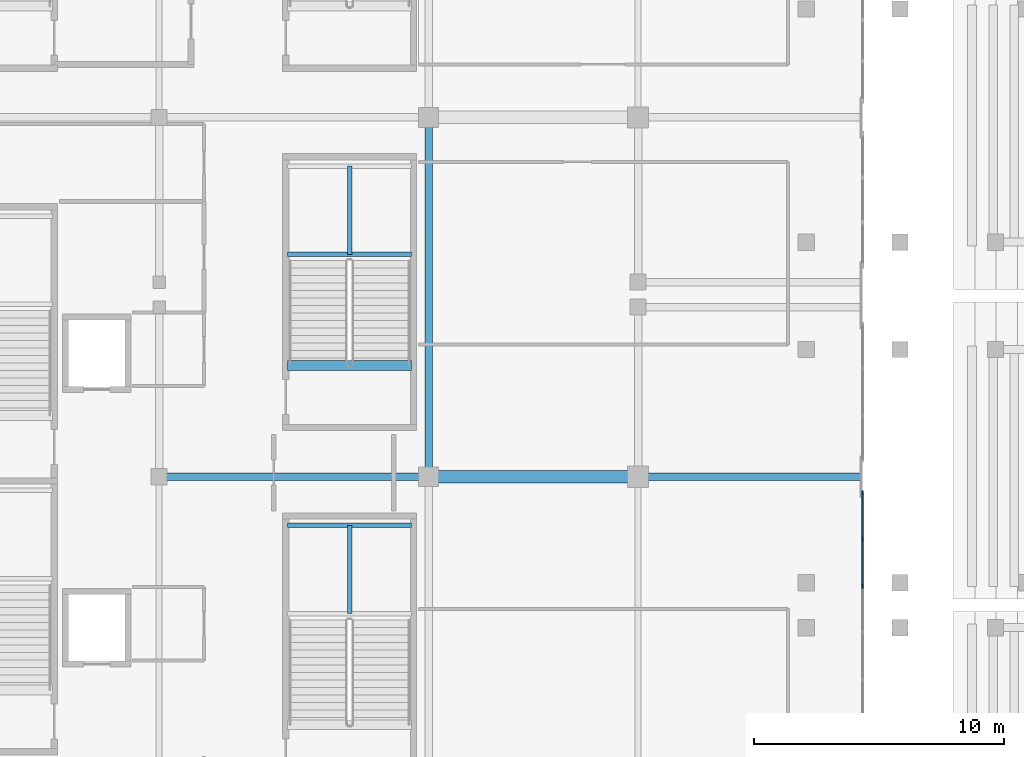
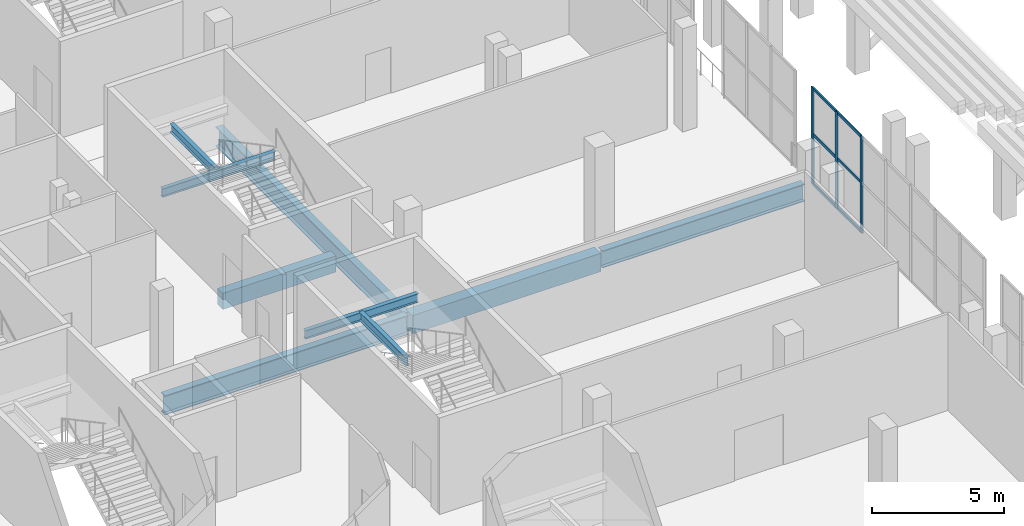
# One storey, part 31 of 142: 9 beams, 9 members, 1 element without a shape of its own.
"""IFC4 building model written with IfcOpenShell, lengths in metres."""

from ifc_helpers import new_model, si_unit, direction, frame, origin, origin_2d, place, context, subcontext, project, spatial, rectangle, i_section, extrude, material, material_profile, profile_set, type_object, element, aggregate, save


model = new_model("IFC4")

# Units and contexts
model_context = context("Model", 3, precision=1e-05, world=origin(), true_north=direction((0.0, 1.0)))
body_context = subcontext(model_context, "Body", "Model", "MODEL_VIEW")
ifc_project = project(units=[si_unit("LENGTHUNIT", "METRE"), si_unit("AREAUNIT", "SQUARE_METRE"), si_unit("VOLUMEUNIT", "CUBIC_METRE"), si_unit("PLANEANGLEUNIT", "RADIAN"), si_unit("MASSUNIT", "GRAM", prefix="KILO")], contexts=[model_context])

# Site, building, storey
site_placement = place(None, origin())
site = spatial("IfcSite", under=ifc_project, at=site_placement, CompositionType="ELEMENT")
building_placement = place(site_placement, origin())
building = spatial("IfcBuilding", under=site, at=building_placement, Name="Koshinbarg Plaza Stadium", CompositionType="ELEMENT")
storey_placement = place(building_placement, frame((0.0, 0.0, 10.199951171875)))
storey = spatial("IfcBuildingStorey", under=building, at=storey_placement, Name="L02", CompositionType="ELEMENT", Elevation=10.199951171875)

# Beams
ifc_material_1 = material(Name="Concrete C40/50", Category="concrete")
ifc_material_profile_1 = material_profile(ifc_material_1, rectangle(XDim=0.39990234375, YDim=0.75, at=origin_2d()), Name="RC 400x750")
ifc_profile_set_1 = profile_set([ifc_material_profile_1], Name="Concrete C40/50")
beam_type_1 = type_object("IfcBeamType", Name="BM-RCG-03", PredefinedType="USERDEFINED", material=ifc_profile_set_1)
beam_1_placement = place(storey_placement, frame((40.550048828125, 73.159912109375, -0.375), z_axis=(1.0, 0.0, 0.0), x_axis=(0.0, 1.0, 0.0)))
element("IfcBeam", 1, at=beam_1_placement, inside=storey, type_object=beam_type_1, Name="L02 stair landing header beam VX04", ObjectType="GIRDER", PredefinedType="USERDEFINED", context=body_context, shape_type="SweptSolid", body=[
    extrude(rectangle(XDim=0.39990234375, YDim=0.75, at=origin_2d()), origin(), (0.0, 0.0, 1.0), 4.969970703125),
])
ifc_material_profile_2 = material_profile(ifc_material_1, rectangle(XDim=0.5, YDim=0.85009765625, at=origin_2d()), Name="RC 500x850")
ifc_profile_set_2 = profile_set([ifc_material_profile_2], Name="Concrete C40/50")
beam_type_2 = type_object("IfcBeamType", Name="BM-RCG-05", PredefinedType="USERDEFINED", material=ifc_profile_set_2)
beam_2_placement = place(storey_placement, frame((46.260009765625, 68.699951171875, -0.724853515625), z_axis=(1.0, 0.0, 0.0), x_axis=(0.0, 1.0, 0.0)))
element("IfcBeam", 2, at=beam_2_placement, inside=storey, type_object=beam_type_2, Name="L02 X girder J/7-8", ObjectType="GIRDER", PredefinedType="USERDEFINED", context=body_context, shape_type="SweptSolid", body=[
    extrude(rectangle(XDim=0.5, YDim=0.85009765625, at=origin_2d()), origin(), (0.0, 0.0, 1.0), 8.280029296875),
])
ifc_material_2 = material(Name="Steel S355", Category="steel")
ifc_material_profile_3 = material_profile(ifc_material_2, i_section(OverallWidth=0.179931640625, OverallDepth=0.39990234375, WebThickness=0.008544921875, FlangeThickness=0.013427734375, at=origin_2d()), Name="IPE 400")
ifc_profile_set_3 = profile_set([ifc_material_profile_3], Name="Steel S355")
beam_type_3 = type_object("IfcBeamType", Name="BM-SBM-01", PredefinedType="BEAM", material=ifc_profile_set_3)
beam_3_placement = place(storey_placement, frame((40.550048828125, 66.75, 1.880126953125), z_axis=(1.0, 0.0, 0.0), x_axis=(0.0, 1.0, 0.0)))
element("IfcBeam", 3, at=beam_3_placement, inside=storey, type_object=beam_type_3, Name="L02 Upper Vomitory Stair VX03 landing trimmer beam 2", PredefinedType="BEAM", context=body_context, shape_type="SweptSolid", body=[
    extrude(i_section(OverallWidth=0.179931640625, OverallDepth=0.39990234375, WebThickness=0.008544921875, FlangeThickness=0.013427734375, at=origin_2d()), origin(), (0.0, 0.0, 1.0), 4.969970703125),
])
beam_4_placement = place(storey_placement, frame((43.034912109375, 63.2099609375, 1.880126953125), z_axis=(0.0, 1.0, 0.0), x_axis=(-1.0, 0.0, 0.0)))
element("IfcBeam", 4, at=beam_4_placement, inside=storey, type_object=beam_type_3, Name="L02 Upper Vomitory Stair VX03 landing trimmer beam 3", PredefinedType="BEAM", context=body_context, shape_type="SweptSolid", body=[
    extrude(i_section(OverallWidth=0.179931640625, OverallDepth=0.39990234375, WebThickness=0.008544921875, FlangeThickness=0.013427734375, at=origin_2d()), origin(), (0.0, 0.0, 1.0), 3.5400390625),
])
beam_5_placement = place(storey_placement, frame((40.550048828125, 77.610107421875, 1.880126953125), z_axis=(1.0, 0.0, 0.0), x_axis=(0.0, 1.0, 0.0)))
element("IfcBeam", 5, at=beam_5_placement, inside=storey, type_object=beam_type_3, Name="L02 Upper Vomitory Stair VX04 landing trimmer beam 1", PredefinedType="BEAM", context=body_context, shape_type="SweptSolid", body=[
    extrude(i_section(OverallWidth=0.179931640625, OverallDepth=0.39990234375, WebThickness=0.008544921875, FlangeThickness=0.013427734375, at=origin_2d()), origin(), (0.0, 0.0, 1.0), 4.969970703125),
])
beam_6_placement = place(storey_placement, frame((43.034912109375, 77.610107421875, 1.880126953125), z_axis=(0.0, 1.0, 0.0), x_axis=(-1.0, 0.0, 0.0)))
element("IfcBeam", 6, at=beam_6_placement, inside=storey, type_object=beam_type_3, Name="L02 Upper Vomitory Stair VX04 landing trimmer beam 3", PredefinedType="BEAM", context=body_context, shape_type="SweptSolid", body=[
    extrude(i_section(OverallWidth=0.179931640625, OverallDepth=0.39990234375, WebThickness=0.008544921875, FlangeThickness=0.013427734375, at=origin_2d()), origin(), (0.0, 0.0, 1.0), 3.539794921875),
])
ifc_material_profile_4 = material_profile(ifc_material_2, i_section(OverallWidth=0.300048828125, OverallDepth=0.800048828125, WebThickness=0.017578125, FlangeThickness=0.032958984375, at=origin_2d()), Name="HEB 800")
ifc_profile_set_4 = profile_set([ifc_material_profile_4], Name="Steel S355")
beam_type_4 = type_object("IfcBeamType", Name="BM-SGIR-04", PredefinedType="USERDEFINED", material=ifc_profile_set_4)
beam_7_placement = place(storey_placement, frame((54.659912109375, 68.699951171875, -0.699951171875), z_axis=(1.0, 0.0, 0.0), x_axis=(0.0, 1.0, 0.0)))
element("IfcBeam", 7, at=beam_7_placement, inside=storey, type_object=beam_type_4, Name="L02 X girder J/8-9", ObjectType="GIRDER", PredefinedType="USERDEFINED", context=body_context, shape_type="SweptSolid", body=[
    extrude(i_section(OverallWidth=0.300048828125, OverallDepth=0.800048828125, WebThickness=0.017578125, FlangeThickness=0.032958984375, at=origin_2d()), origin(), (0.0, 0.0, 1.0), 8.880126953125),
])
ifc_material_profile_5 = material_profile(ifc_material_2, i_section(OverallWidth=0.300048828125, OverallDepth=0.89990234375, WebThickness=0.0185546875, FlangeThickness=0.034912109375, at=origin_2d()), Name="HEB 900")
ifc_profile_set_5 = profile_set([ifc_material_profile_5], Name="Steel S355")
beam_type_5 = type_object("IfcBeamType", Name="BM-SGIR-05", PredefinedType="USERDEFINED", material=ifc_profile_set_5)
beam_8_placement = place(storey_placement, frame((35.4599609375, 68.699951171875, -0.75), z_axis=(1.0, 0.0, 0.0), x_axis=(0.0, 1.0, 0.0)))
element("IfcBeam", 8, at=beam_8_placement, inside=storey, type_object=beam_type_5, Name="L02 X girder J/6-7", ObjectType="GIRDER", PredefinedType="USERDEFINED", context=body_context, shape_type="SweptSolid", body=[
    extrude(i_section(OverallWidth=0.300048828125, OverallDepth=0.89990234375, WebThickness=0.0185546875, FlangeThickness=0.034912109375, at=origin_2d()), origin(), (0.0, 0.0, 1.0), 10.679931640625),
])
beam_9_placement = place(storey_placement, frame((46.199951171875, 68.760009765625, -0.75), z_axis=(0.0, 1.0, 0.0), x_axis=(-1.0, 0.0, 0.0)))
element("IfcBeam", 9, at=beam_9_placement, inside=storey, type_object=beam_type_5, Name="L02 Y girder 7/J-M", ObjectType="GIRDER", PredefinedType="USERDEFINED", context=body_context, shape_type="SweptSolid", body=[
    extrude(i_section(OverallWidth=0.300048828125, OverallDepth=0.89990234375, WebThickness=0.0185546875, FlangeThickness=0.034912109375, at=origin_2d()), origin(), (0.0, 0.0, 1.0), 14.280029296875),
])

# Curtain wall, members
ifc_material_3 = material(Name="Thermally broken anodised aluminium and low-E double glazing", Category="aluminium")
curtain_wall_type = type_object("IfcCurtainWallType", Name="CW-SYS-14", PredefinedType="NOTDEFINED", material=ifc_material_3)
curtain_wall_placement = place(storey_placement, origin())
curtain_wall = element("IfcCurtainWall", 10, at=curtain_wall_placement, inside=storey, type_object=curtain_wall_type, Name="L02 unitised curtain wall CW-L02-077", PredefinedType="NOTDEFINED")
ifc_material_4 = material(Name="Anodised aluminium mullion", Category="aluminium")
ifc_material_profile_6 = material_profile(ifc_material_4, rectangle(XDim=0.06005859375, YDim=0.159912109375, at=origin_2d()), Name="ALU 60x160")
ifc_profile_set_6 = profile_set([ifc_material_profile_6], Name="Anodised aluminium mullion")
member_type_1 = type_object("IfcMemberType", Name="CW-MUL-02", PredefinedType="MULLION", material=ifc_profile_set_6)
member_1_placement = place(storey_placement, frame((63.60009765625, 68.050048828125, 0.0), z_axis=(0.0, 0.0, 1.0), x_axis=(1.0, 0.0, 0.0)))
member_1 = element("IfcMember", 11, at=member_1_placement, type_object=member_type_1, Name="CW14 mullion 1", PredefinedType="MULLION", context=body_context, shape_type="SweptSolid", body=[
    extrude(rectangle(XDim=0.06005859375, YDim=0.159912109375, at=origin_2d()), origin(), (0.0, 0.0, 1.0), 4.47998046875),
])
member_2_placement = place(storey_placement, frame((63.60009765625, 66.199951171875, 0.0), z_axis=(0.0, 0.0, 1.0), x_axis=(1.0, 0.0, 0.0)))
member_2 = element("IfcMember", 12, at=member_2_placement, type_object=member_type_1, Name="CW14 mullion 2", PredefinedType="MULLION", context=body_context, shape_type="SweptSolid", body=[
    extrude(rectangle(XDim=0.06005859375, YDim=0.159912109375, at=origin_2d()), origin(), (0.0, 0.0, 1.0), 4.47998046875),
])
member_3_placement = place(storey_placement, frame((63.60009765625, 64.320068359375, 0.0), z_axis=(0.0, 0.0, 1.0), x_axis=(1.0, 0.0, 0.0)))
member_3 = element("IfcMember", 13, at=member_3_placement, type_object=member_type_1, Name="CW14 mullion 3", PredefinedType="MULLION", context=body_context, shape_type="SweptSolid", body=[
    extrude(rectangle(XDim=0.06005859375, YDim=0.159912109375, at=origin_2d()), origin(), (0.0, 0.0, 1.0), 4.47998046875),
])
ifc_material_5 = material(Name="Anodised aluminium transom", Category="aluminium")
ifc_material_profile_7 = material_profile(ifc_material_5, rectangle(XDim=0.06005859375, YDim=0.1298828125, at=origin_2d()), Name="ALU 60x130")
ifc_profile_set_7 = profile_set([ifc_material_profile_7], Name="Anodised aluminium transom")
member_type_2 = type_object("IfcMemberType", Name="CW-TRN-02", PredefinedType="USERDEFINED", material=ifc_profile_set_7)
member_4_placement = place(storey_placement, frame((63.60009765625, 68.02001953125, 0.030029296875), z_axis=(0.0, -1.0, 0.0), x_axis=(1.0, 0.0, 0.0)))
member_4 = element("IfcMember", 14, at=member_4_placement, type_object=member_type_2, Name="CW14 transom 1.1", ObjectType="TRANSOM", PredefinedType="USERDEFINED", context=body_context, shape_type="SweptSolid", body=[
    extrude(rectangle(XDim=0.06005859375, YDim=0.1298828125, at=origin_2d()), origin(), (0.0, 0.0, 1.0), 1.7900390625),
])
member_5_placement = place(storey_placement, frame((63.60009765625, 68.02001953125, 2.32958984375), z_axis=(0.0, -1.0, 0.0), x_axis=(1.0, 0.0, 0.0)))
member_5 = element("IfcMember", 15, at=member_5_placement, type_object=member_type_2, Name="CW14 transom 1.2", ObjectType="TRANSOM", PredefinedType="USERDEFINED", context=body_context, shape_type="SweptSolid", body=[
    extrude(rectangle(XDim=0.06005859375, YDim=0.1298828125, at=origin_2d()), origin(), (0.0, 0.0, 1.0), 1.7900390625),
])
member_6_placement = place(storey_placement, frame((63.60009765625, 68.02001953125, 4.449951171875), z_axis=(0.0, -1.0, 0.0), x_axis=(1.0, 0.0, 0.0)))
member_6 = element("IfcMember", 16, at=member_6_placement, type_object=member_type_2, Name="CW14 transom 1.3", ObjectType="TRANSOM", PredefinedType="USERDEFINED", context=body_context, shape_type="SweptSolid", body=[
    extrude(rectangle(XDim=0.06005859375, YDim=0.1298828125, at=origin_2d()), origin(), (0.0, 0.0, 1.0), 1.7900390625),
])
member_7_placement = place(storey_placement, frame((63.60009765625, 66.169921875, 0.030029296875), z_axis=(0.0, -1.0, 0.0), x_axis=(1.0, 0.0, 0.0)))
member_7 = element("IfcMember", 17, at=member_7_placement, type_object=member_type_2, Name="CW14 transom 2.1", ObjectType="TRANSOM", PredefinedType="USERDEFINED", context=body_context, shape_type="SweptSolid", body=[
    extrude(rectangle(XDim=0.06005859375, YDim=0.1298828125, at=origin_2d()), origin(), (0.0, 0.0, 1.0), 1.81982421875),
])
member_8_placement = place(storey_placement, frame((63.60009765625, 66.169921875, 2.32958984375), z_axis=(0.0, -1.0, 0.0), x_axis=(1.0, 0.0, 0.0)))
member_8 = element("IfcMember", 18, at=member_8_placement, type_object=member_type_2, Name="CW14 transom 2.2", ObjectType="TRANSOM", PredefinedType="USERDEFINED", context=body_context, shape_type="SweptSolid", body=[
    extrude(rectangle(XDim=0.06005859375, YDim=0.1298828125, at=origin_2d()), origin(), (0.0, 0.0, 1.0), 1.81982421875),
])
member_9_placement = place(storey_placement, frame((63.60009765625, 66.169921875, 4.449951171875), z_axis=(0.0, -1.0, 0.0), x_axis=(1.0, 0.0, 0.0)))
member_9 = element("IfcMember", 19, at=member_9_placement, type_object=member_type_2, Name="CW14 transom 2.3", ObjectType="TRANSOM", PredefinedType="USERDEFINED", context=body_context, shape_type="SweptSolid", body=[
    extrude(rectangle(XDim=0.06005859375, YDim=0.1298828125, at=origin_2d()), origin(), (0.0, 0.0, 1.0), 1.81982421875),
])
aggregate(curtain_wall, [member_1, member_2, member_3, member_4, member_5, member_6, member_7, member_8, member_9])

save(model, "model.ifc")
